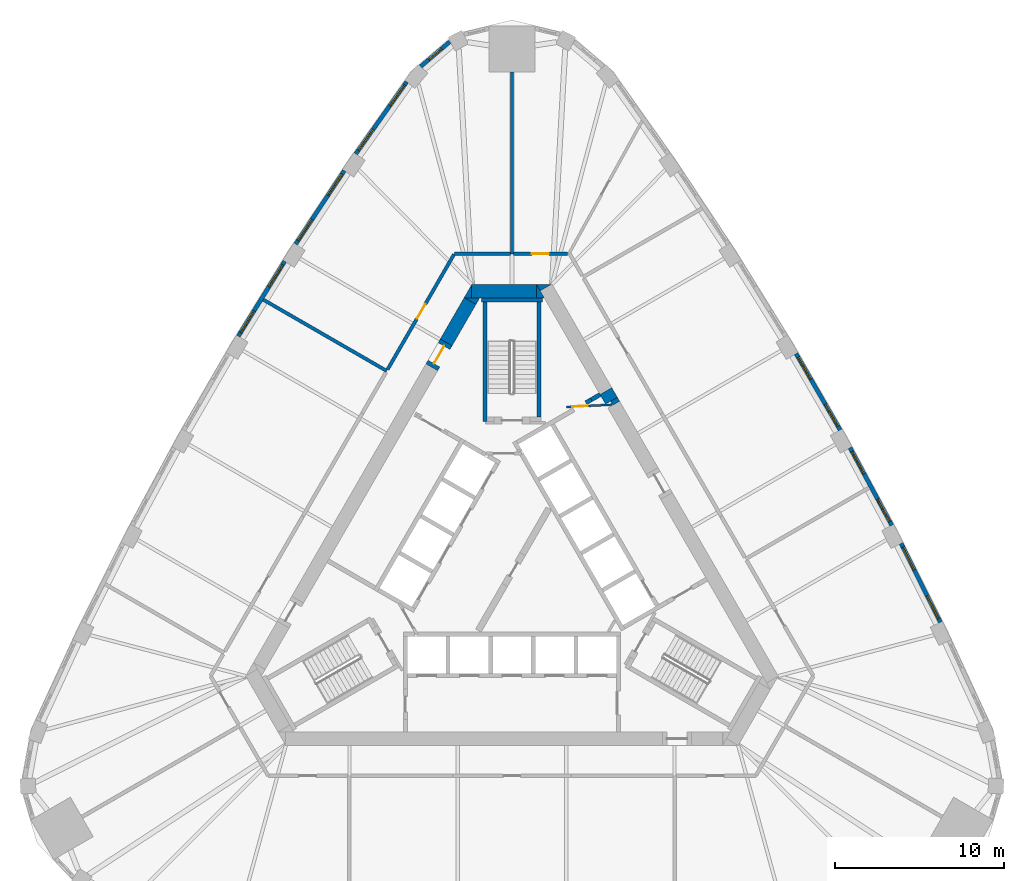
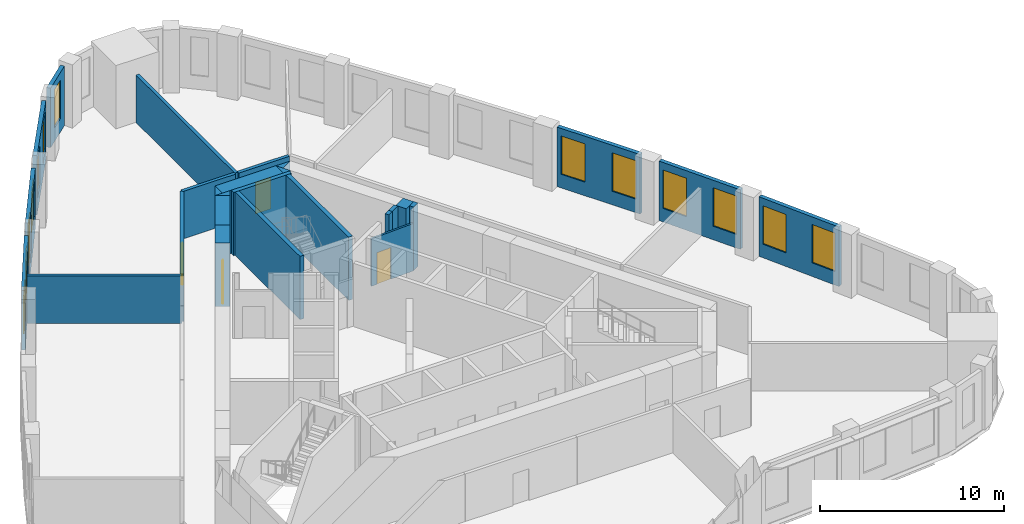
# One storey, part 7 of 9: 27 walls, 13 windows, 4 doors, 17 openings.
"""IFC4 building model written with IfcOpenShell, lengths in metres."""

from ifc_helpers import new_model, si_unit, direction, frame, frame_2d, origin, place, context, subcontext, project, spatial, polyline, rectangle, outline, extrude, material, layer, layer_set, type_object, element, fill, save


model = new_model("IFC4")

# Units and contexts
model_context = context("Model", 3, precision=1e-05, world=origin(), true_north=direction((0.0, 1.0)))
body_context = subcontext(model_context, "Body", "Model", "MODEL_VIEW")
ifc_project = project(units=[si_unit("LENGTHUNIT", "METRE"), si_unit("AREAUNIT", "SQUARE_METRE"), si_unit("VOLUMEUNIT", "CUBIC_METRE"), si_unit("PLANEANGLEUNIT", "RADIAN"), si_unit("MASSUNIT", "GRAM", prefix="KILO")], contexts=[model_context])

# Site, building, storey
site_placement = place(None, origin())
site = spatial("IfcSite", under=ifc_project, at=site_placement, CompositionType="ELEMENT")
building_placement = place(site_placement, origin())
building = spatial("IfcBuilding", under=site, at=building_placement, Name="Mestral Congress Tower", CompositionType="ELEMENT")
storey_placement = place(building_placement, frame((0.0, 0.0, 183.60009765625)))
storey = spatial("IfcBuildingStorey", under=building, at=storey_placement, Name="L43", CompositionType="ELEMENT", Elevation=183.60009765625)

# Wall, opening, door
ifc_material_1 = material(Name="Fire-rated board partition")
ifc_layer_1 = layer(ifc_material_1, 0.1201171875)
ifc_layer_set_1 = layer_set([ifc_layer_1], Name="Fire-rated board partition")
wall_type_1 = type_object("IfcWallType", Name="Core partition 150 door-wall 120", PredefinedType="PARTITIONING", material=ifc_layer_set_1)
wall_1_placement = place(storey_placement, frame((5.917236328125, 9.684326171875, 0.0), z_axis=(0.0, 0.0, 1.0), x_axis=(-0.998758194515, -0.049820366212, 0.0)))
wall_1 = element("IfcWall", 1, at=wall_1_placement, inside=storey, type_object=wall_type_1, Name="L43 door wall", PredefinedType="PARTITIONING", context=body_context, shape_type="SweptSolid", body=[
    extrude(rectangle(XDim=2.7001953125, YDim=0.119873046875, at=frame_2d((1.35009765625, 0.0))), origin(), (0.0, 0.0, 1.0), 3.14990234375),
])
opening_1_placement = place(wall_1_placement, frame((1.449951171875, 0.0, 0.0)))
opening_1 = element("IfcOpeningElement", 2, at=opening_1_placement, cuts=wall_1, Name="Opening TD2", PredefinedType="OPENING", context=body_context, shape_type="SweptSolid", body=[
    extrude(rectangle(XDim=0.89990234375, YDim=2.10009765625, at=frame_2d((0.449951171875, 1.050048828125))), frame((0.0, 0.06982421875, 0.0), z_axis=(0.0, -1.0, 0.0), x_axis=(1.0, 0.0, 0.0)), (0.0, 0.0, 1.0), 0.139892578125),
])
ifc_material_2 = material(Name="Fire-rated steel door set", Category="steel")
door_type_1 = type_object("IfcDoorType", Name="Core door SR 900x2100", OperationType="SINGLE_SWING_LEFT", PredefinedType="DOOR", material=ifc_material_2)
door_1_placement = place(opening_1_placement, origin())
door_1 = element("IfcDoor", 3, at=door_1_placement, inside=storey, type_object=door_type_1, Name="Door TD2", OperationType="SINGLE_SWING_LEFT", OverallHeight=2.10009765625, OverallWidth=0.89990234375, PredefinedType="DOOR", context=body_context, shape_type="SweptSolid", body=[
    extrude(rectangle(XDim=0.89990234375, YDim=2.10009765625, at=frame_2d((0.449951171875, 1.050048828125))), frame((0.0, 0.02490234375, 0.0), z_axis=(0.0, -1.0, 0.0), x_axis=(1.0, 0.0, 0.0)), (0.0, 0.0, 1.0), 0.050048828125),
])
fill(opening_1, door_1)

# Walls
ifc_material_3 = material(Name="Concrete C60/75", Category="concrete")
ifc_layer_2 = layer(ifc_material_3, 0.800048828125)
ifc_layer_set_2 = layer_set([ifc_layer_2], Name="Concrete C60/75")
wall_type_2 = type_object("IfcWallType", Name="Core wall RC 800", PredefinedType="SOLIDWALL", material=ifc_layer_set_2)
wall_2_placement = place(storey_placement, frame((5.87841796875, 9.918212890625, 0.0), z_axis=(0.0, 0.0, 1.0), x_axis=(-0.499893918903, 0.866086641072, 0.0)))
element("IfcWall", 4, at=wall_2_placement, inside=storey, type_object=wall_type_2, Name="L43 core wall", PredefinedType="SOLIDWALL", context=body_context, shape_type="SweptSolid", body=[
    extrude(rectangle(XDim=0.657470703125, YDim=0.800048828125, at=frame_2d((0.32861328125, 0.0))), origin(), (0.0, 0.0, 1.0), 4.199951171875),
])
placement = place(storey_placement, origin())
element("IfcWall", 5, at=placement, inside=storey, type_object=wall_type_2, Name="L43 core wall", PredefinedType="SOLIDWALL", context=body_context, shape_type="SweptSolid", body=[
    extrude(outline(polyline([(5.961181640625, 9.654052734375), (5.8271484375, 9.88623046875), (6.225830078125, 10.116455078125), (6.35986328125, 9.88427734375), (5.961181640625, 9.654052734375)])), origin(), (0.0, 0.0, 1.0), 4.199951171875),
])
element("IfcWall", 6, at=placement, inside=storey, type_object=wall_type_2, Name="L43 core wall", PredefinedType="SOLIDWALL", context=body_context, shape_type="SweptSolid", body=[
    extrude(outline(polyline([(1.443359375, 16.800048828125), (2.33935546875, 16.800048828125), (1.667236328125, 16.412109375), (1.443359375, 16.800048828125)])), origin(), (0.0, 0.0, 1.0), 4.199951171875),
])
wall_5_placement = place(storey_placement, frame((-2.37890625, 16.39990234375, 0.0), z_axis=(0.0, 0.0, 1.0), x_axis=(1.0, 0.0, 0.0)))
element("IfcWall", 7, at=wall_5_placement, inside=storey, type_object=wall_type_2, Name="L43 core wall", PredefinedType="SOLIDWALL", context=body_context, shape_type="SweptSolid", body=[
    extrude(rectangle(XDim=3.82421875, YDim=0.800048828125, at=frame_2d((1.912109375, 0.0))), origin(), (0.0, 0.0, 1.0), 4.199951171875),
])
element("IfcWall", 8, at=placement, inside=storey, type_object=wall_type_2, Name="L43 core wall", PredefinedType="SOLIDWALL", context=body_context, shape_type="SweptSolid", body=[
    extrude(outline(polyline([(1.9052734375, 16.0), (1.447265625, 16.0), (1.447265625, 16.793212890625), (1.9052734375, 16.0)])), origin(), (0.0, 0.0, 1.0), 4.199951171875),
])
element("IfcWall", 9, at=placement, inside=storey, type_object=wall_type_2, Name="L43 core wall", PredefinedType="SOLIDWALL", context=body_context, shape_type="SweptSolid", body=[
    extrude(outline(polyline([(-2.8291015625, 16.0), (-2.381103515625, 16.77587890625), (-2.381103515625, 16.0), (-2.8291015625, 16.0)])), origin(), (0.0, 0.0, 1.0), 4.199951171875),
])
wall_8_placement = place(storey_placement, frame((-2.476806640625, 15.810302734375, 0.0), z_axis=(0.0, 0.0, 1.0), x_axis=(-0.499969377405, -0.866043083026, 0.0)))
element("IfcWall", 10, at=wall_8_placement, inside=storey, type_object=wall_type_2, Name="L43 core wall", PredefinedType="SOLIDWALL", context=body_context, shape_type="SweptSolid", body=[
    extrude(rectangle(XDim=2.824462890625, YDim=0.800048828125, at=frame_2d((1.412109375, 0.0))), origin(), (0.0, 0.0, 1.0), 4.199951171875),
])
element("IfcWall", 11, at=placement, inside=storey, type_object=wall_type_2, Name="L43 core wall", PredefinedType="SOLIDWALL", context=body_context, shape_type="SweptSolid", body=[
    extrude(outline(polyline([(-1.9052734375, 16.0), (-2.12939453125, 15.612060546875), (-2.80126953125, 16.0), (-1.9052734375, 16.0)])), origin(), (0.0, 0.0, 1.0), 4.199951171875),
])

# Wall, opening, door
wall_10_placement = place(storey_placement, frame((-4.739013671875, 11.89208984375, 0.0), z_axis=(0.0, 0.0, 1.0), x_axis=(0.500062241894, 0.865989465428, 0.0)))
wall_10 = element("IfcWall", 12, at=wall_10_placement, inside=storey, type_object=wall_type_2, Name="L43 door wall", PredefinedType="SOLIDWALL", context=body_context, shape_type="SweptSolid", body=[
    extrude(rectangle(XDim=1.699951171875, YDim=0.800048828125, at=frame_2d((0.85009765625, 0.0))), origin(), (0.0, 0.0, 1.0), 4.199951171875),
])
opening_2_placement = place(wall_10_placement, frame((0.25, 0.0, 0.0)))
opening_2 = element("IfcOpeningElement", 13, at=opening_2_placement, cuts=wall_10, Name="Opening XD2", PredefinedType="OPENING", context=body_context, shape_type="SweptSolid", body=[
    extrude(rectangle(XDim=1.199951171875, YDim=2.10009765625, at=frame_2d((0.60009765625, 1.050048828125))), frame((0.0, 0.409912109375, 0.0), z_axis=(0.0, -1.0, 0.0), x_axis=(1.0, 0.0, 0.0)), (0.0, 0.0, 1.0), 0.820068359375),
])
door_type_2 = type_object("IfcDoorType", Name="Core door XD 1200x2100", OperationType="SINGLE_SWING_LEFT", PredefinedType="DOOR", material=ifc_material_2)
door_2_placement = place(opening_2_placement, origin())
door_2 = element("IfcDoor", 14, at=door_2_placement, inside=storey, type_object=door_type_2, Name="Door XD2", OperationType="SINGLE_SWING_LEFT", OverallHeight=2.10009765625, OverallWidth=1.199951171875, PredefinedType="DOOR", context=body_context, shape_type="SweptSolid", body=[
    extrude(rectangle(XDim=1.199951171875, YDim=2.10009765625, at=frame_2d((0.60009765625, 1.050048828125))), frame((0.0, 0.02490234375, 0.0), z_axis=(0.0, -1.0, 0.0), x_axis=(1.0, 0.0, 0.0)), (0.0, 0.0, 1.0), 0.050048828125),
])
fill(opening_2, door_2)

# Wall, openings, windows
ifc_material_4 = material(Name="Precast concrete C40/50 with limestone facing", Category="masonry")
ifc_layer_3 = layer(ifc_material_4, 0.239990234375)
ifc_layer_set_3 = layer_set([ifc_layer_3], Name="Precast concrete C40/50 with limestone facing")
wall_type_3 = type_object("IfcWallType", Name="Facade stone wall 240", PredefinedType="SOLIDWALL", material=ifc_layer_set_3)
wall_11_placement = place(storey_placement, frame((25.31591796875, -3.17138671875, 0.0), z_axis=(0.0, 0.0, 1.0), x_axis=(-0.446256171312, 0.8949052629, 0.0)))
wall_11 = element("IfcWall", 15, at=wall_11_placement, inside=storey, type_object=wall_type_3, Name="Facade wall F1-01", PredefinedType="SOLIDWALL", context=body_context, shape_type="SweptSolid", body=[
    extrude(rectangle(XDim=5.203369140625, YDim=0.239990234375, at=frame_2d((2.6015625, 0.0))), origin(), (0.0, 0.0, 1.0), 3.949951171875),
])
opening_3_placement = place(wall_11_placement, frame((0.248291015625, 0.0, 0.89990234375)))
opening_3 = element("IfcOpeningElement", 16, at=opening_3_placement, cuts=wall_11, Name="Opening W4", PredefinedType="OPENING", context=body_context, shape_type="SweptSolid", body=[
    extrude(rectangle(XDim=1.5, YDim=2.550048828125, at=frame_2d((0.75, 1.27490234375))), frame((0.0, 0.1298828125, 0.0), z_axis=(0.0, -1.0, 0.0), x_axis=(1.0, 0.0, 0.0)), (0.0, 0.0, 1.0), 0.260009765625),
])
opening_4_placement = place(wall_11_placement, frame((3.455078125, 0.0, 0.89990234375)))
opening_4 = element("IfcOpeningElement", 17, at=opening_4_placement, cuts=wall_11, Name="Opening W4", PredefinedType="OPENING", context=body_context, shape_type="SweptSolid", body=[
    extrude(rectangle(XDim=1.5, YDim=2.550048828125, at=frame_2d((0.75, 1.27490234375))), frame((0.0, 0.1298828125, 0.0), z_axis=(0.0, -1.0, 0.0), x_axis=(1.0, 0.0, 0.0)), (0.0, 0.0, 1.0), 0.260009765625),
])
ifc_material_5 = material(Name="Clear low-emissivity double glazing", Category="glass")
window_type_1 = type_object("IfcWindowType", Name="Facade punched window 1500 x 2550 sill 900", PartitioningType="SINGLE_PANEL", PredefinedType="WINDOW", material=ifc_material_5)
window_1_placement = place(opening_3_placement, origin())
window_1 = element("IfcWindow", 18, at=window_1_placement, inside=storey, type_object=window_type_1, Name="Window F1-01a", OverallHeight=2.550048828125, OverallWidth=1.5, PartitioningType="SINGLE_PANEL", PredefinedType="WINDOW", context=body_context, shape_type="SweptSolid", body=[
    extrude(rectangle(XDim=1.5, YDim=2.550048828125, at=frame_2d((0.75, 1.27490234375))), frame((0.0, 0.0400390625, 0.0), z_axis=(0.0, -1.0, 0.0), x_axis=(1.0, 0.0, 0.0)), (0.0, 0.0, 1.0), 0.06005859375),
])
fill(opening_3, window_1)
window_2_placement = place(opening_4_placement, origin())
window_2 = element("IfcWindow", 19, at=window_2_placement, inside=storey, type_object=window_type_1, Name="Window F1-01b", OverallHeight=2.550048828125, OverallWidth=1.5, PartitioningType="SINGLE_PANEL", PredefinedType="WINDOW", context=body_context, shape_type="SweptSolid", body=[
    extrude(rectangle(XDim=1.5, YDim=2.550048828125, at=frame_2d((0.75, 1.27490234375))), frame((0.0, 0.0400390625, 0.0), z_axis=(0.0, -1.0, 0.0), x_axis=(1.0, 0.0, 0.0)), (0.0, 0.0, 1.0), 0.06005859375),
])
fill(opening_4, window_2)

wall_12_placement = place(storey_placement, frame((22.43994140625, 2.554931640625, 0.0), z_axis=(0.0, 0.0, 1.0), x_axis=(-0.473349833294, 0.880874528704, 0.0)))
wall_12 = element("IfcWall", 20, at=wall_12_placement, inside=storey, type_object=wall_type_3, Name="Facade wall F1-02", PredefinedType="SOLIDWALL", context=body_context, shape_type="SweptSolid", body=[
    extrude(rectangle(XDim=5.20361328125, YDim=0.239990234375, at=frame_2d((2.601806640625, 0.0))), origin(), (0.0, 0.0, 1.0), 3.949951171875),
])
opening_5_placement = place(wall_12_placement, frame((0.248291015625, 0.0, 0.89990234375)))
opening_5 = element("IfcOpeningElement", 21, at=opening_5_placement, cuts=wall_12, Name="Opening W4", PredefinedType="OPENING", context=body_context, shape_type="SweptSolid", body=[
    extrude(rectangle(XDim=1.5, YDim=2.550048828125, at=frame_2d((0.75, 1.27490234375))), frame((0.0, 0.1298828125, 0.0), z_axis=(0.0, -1.0, 0.0), x_axis=(1.0, 0.0, 0.0)), (0.0, 0.0, 1.0), 0.260009765625),
])
opening_6_placement = place(wall_12_placement, frame((3.455078125, 0.0, 0.89990234375)))
opening_6 = element("IfcOpeningElement", 22, at=opening_6_placement, cuts=wall_12, Name="Opening W4", PredefinedType="OPENING", context=body_context, shape_type="SweptSolid", body=[
    extrude(rectangle(XDim=1.5, YDim=2.550048828125, at=frame_2d((0.75, 1.27490234375))), frame((0.0, 0.1298828125, 0.0), z_axis=(0.0, -1.0, 0.0), x_axis=(1.0, 0.0, 0.0)), (0.0, 0.0, 1.0), 0.260009765625),
])
window_3_placement = place(opening_5_placement, origin())
window_3 = element("IfcWindow", 23, at=window_3_placement, inside=storey, type_object=window_type_1, Name="Window F1-02a", OverallHeight=2.550048828125, OverallWidth=1.5, PartitioningType="SINGLE_PANEL", PredefinedType="WINDOW", context=body_context, shape_type="SweptSolid", body=[
    extrude(rectangle(XDim=1.5, YDim=2.550048828125, at=frame_2d((0.75, 1.27490234375))), frame((0.0, 0.0400390625, 0.0), z_axis=(0.0, -1.0, 0.0), x_axis=(1.0, 0.0, 0.0)), (0.0, 0.0, 1.0), 0.06005859375),
])
fill(opening_5, window_3)
window_4_placement = place(opening_6_placement, origin())
window_4 = element("IfcWindow", 24, at=window_4_placement, inside=storey, type_object=window_type_1, Name="Window F1-02b", OverallHeight=2.550048828125, OverallWidth=1.5, PartitioningType="SINGLE_PANEL", PredefinedType="WINDOW", context=body_context, shape_type="SweptSolid", body=[
    extrude(rectangle(XDim=1.5, YDim=2.550048828125, at=frame_2d((0.75, 1.27490234375))), frame((0.0, 0.0400390625, 0.0), z_axis=(0.0, -1.0, 0.0), x_axis=(1.0, 0.0, 0.0)), (0.0, 0.0, 1.0), 0.06005859375),
])
fill(opening_6, window_4)

wall_13_placement = place(storey_placement, frame((19.390625, 8.19091796875, 0.0), z_axis=(0.0, 0.0, 1.0), x_axis=(-0.500009456303, 0.866019944116, 0.0)))
wall_13 = element("IfcWall", 25, at=wall_13_placement, inside=storey, type_object=wall_type_3, Name="Facade wall F1-03", PredefinedType="SOLIDWALL", context=body_context, shape_type="SweptSolid", body=[
    extrude(rectangle(XDim=5.20361328125, YDim=0.239990234375, at=frame_2d((2.601806640625, 0.0))), origin(), (0.0, 0.0, 1.0), 3.949951171875),
])
opening_7_placement = place(wall_13_placement, frame((0.248291015625, 0.0, 0.89990234375)))
opening_7 = element("IfcOpeningElement", 26, at=opening_7_placement, cuts=wall_13, Name="Opening W4", PredefinedType="OPENING", context=body_context, shape_type="SweptSolid", body=[
    extrude(rectangle(XDim=1.5, YDim=2.550048828125, at=frame_2d((0.75, 1.27490234375))), frame((0.0, 0.1298828125, 0.0), z_axis=(0.0, -1.0, 0.0), x_axis=(1.0, 0.0, 0.0)), (0.0, 0.0, 1.0), 0.260009765625),
])
opening_8_placement = place(wall_13_placement, frame((3.455078125, 0.0, 0.89990234375)))
opening_8 = element("IfcOpeningElement", 27, at=opening_8_placement, cuts=wall_13, Name="Opening W4", PredefinedType="OPENING", context=body_context, shape_type="SweptSolid", body=[
    extrude(rectangle(XDim=1.5, YDim=2.550048828125, at=frame_2d((0.75, 1.27490234375))), frame((0.0, 0.1298828125, 0.0), z_axis=(0.0, -1.0, 0.0), x_axis=(1.0, 0.0, 0.0)), (0.0, 0.0, 1.0), 0.260009765625),
])
window_5_placement = place(opening_7_placement, origin())
window_5 = element("IfcWindow", 28, at=window_5_placement, inside=storey, type_object=window_type_1, Name="Window F1-03a", OverallHeight=2.550048828125, OverallWidth=1.5, PartitioningType="SINGLE_PANEL", PredefinedType="WINDOW", context=body_context, shape_type="SweptSolid", body=[
    extrude(rectangle(XDim=1.5, YDim=2.550048828125, at=frame_2d((0.75, 1.27490234375))), frame((0.0, 0.0400390625, 0.0), z_axis=(0.0, -1.0, 0.0), x_axis=(1.0, 0.0, 0.0)), (0.0, 0.0, 1.0), 0.06005859375),
])
fill(opening_7, window_5)
window_6_placement = place(opening_8_placement, origin())
window_6 = element("IfcWindow", 29, at=window_6_placement, inside=storey, type_object=window_type_1, Name="Window F1-03b", OverallHeight=2.550048828125, OverallWidth=1.5, PartitioningType="SINGLE_PANEL", PredefinedType="WINDOW", context=body_context, shape_type="SweptSolid", body=[
    extrude(rectangle(XDim=1.5, YDim=2.550048828125, at=frame_2d((0.75, 1.27490234375))), frame((0.0, 0.0400390625, 0.0), z_axis=(0.0, -1.0, 0.0), x_axis=(1.0, 0.0, 0.0)), (0.0, 0.0, 1.0), 0.06005859375),
])
fill(opening_8, window_6)

# Wall, opening, window
wall_14_placement = place(storey_placement, frame((-3.67822265625, 31.130859375, 0.0), z_axis=(0.0, 0.0, 1.0), x_axis=(-0.761419744247, -0.648259186645, 0.0)))
wall_14 = element("IfcWall", 30, at=wall_14_placement, inside=storey, type_object=wall_type_3, Name="Facade wall K1-3", PredefinedType="SOLIDWALL", context=body_context, shape_type="SweptSolid", body=[
    extrude(rectangle(XDim=2.250244140625, YDim=0.239990234375, at=frame_2d((1.125, 0.0))), origin(), (0.0, 0.0, 1.0), 3.949951171875),
])
opening_9_placement = place(wall_14_placement, frame((0.625244140625, 0.0, 0.89990234375)))
opening_9 = element("IfcOpeningElement", 31, at=opening_9_placement, cuts=wall_14, Name="Opening W5", PredefinedType="OPENING", context=body_context, shape_type="SweptSolid", body=[
    extrude(rectangle(XDim=1.0, YDim=2.550048828125, at=frame_2d((0.5, 1.27490234375))), frame((0.0, 0.1298828125, 0.0), z_axis=(0.0, -1.0, 0.0), x_axis=(1.0, 0.0, 0.0)), (0.0, 0.0, 1.0), 0.260009765625),
])
window_type_2 = type_object("IfcWindowType", Name="Facade punched window 1000 x 2550 sill 900", PartitioningType="SINGLE_PANEL", PredefinedType="WINDOW", material=ifc_material_5)
window_7_placement = place(opening_9_placement, origin())
window_7 = element("IfcWindow", 32, at=window_7_placement, inside=storey, type_object=window_type_2, Name="Window K1-3", OverallHeight=2.550048828125, OverallWidth=1.0, PartitioningType="SINGLE_PANEL", PredefinedType="WINDOW", context=body_context, shape_type="SweptSolid", body=[
    extrude(rectangle(XDim=1.0, YDim=2.550048828125, at=frame_2d((0.5, 1.27490234375))), frame((0.0, 0.0400390625, 0.0), z_axis=(0.0, -1.0, 0.0), x_axis=(1.0, 0.0, 0.0)), (0.0, 0.0, 1.0), 0.06005859375),
])
fill(opening_9, window_7)

# Wall, openings, windows
wall_15_placement = place(storey_placement, frame((-6.22265625, 28.76171875, 0.0), z_axis=(0.0, 0.0, 1.0), x_axis=(-0.577115207679, -0.816662743772, 0.0)))
wall_15 = element("IfcWall", 33, at=wall_15_placement, inside=storey, type_object=wall_type_3, Name="Facade wall F2-00", PredefinedType="SOLIDWALL", context=body_context, shape_type="SweptSolid", body=[
    extrude(rectangle(XDim=5.213134765625, YDim=0.239990234375, at=frame_2d((2.6064453125, 0.0))), origin(), (0.0, 0.0, 1.0), 3.949951171875),
])
opening_10_placement = place(wall_15_placement, frame((0.220703125, 0.0, 0.89990234375)))
opening_10 = element("IfcOpeningElement", 34, at=opening_10_placement, cuts=wall_15, Name="Opening W4", PredefinedType="OPENING", context=body_context, shape_type="SweptSolid", body=[
    extrude(rectangle(XDim=1.5, YDim=2.550048828125, at=frame_2d((0.75, 1.27490234375))), frame((0.0, 0.1298828125, 0.0), z_axis=(0.0, -1.0, 0.0), x_axis=(1.0, 0.0, 0.0)), (0.0, 0.0, 1.0), 0.260009765625),
])
opening_11_placement = place(wall_15_placement, frame((3.452392578125, 0.0, 0.89990234375)))
opening_11 = element("IfcOpeningElement", 35, at=opening_11_placement, cuts=wall_15, Name="Opening W4", PredefinedType="OPENING", context=body_context, shape_type="SweptSolid", body=[
    extrude(rectangle(XDim=1.5, YDim=2.550048828125, at=frame_2d((0.75, 1.27490234375))), frame((0.0, 0.1298828125, 0.0), z_axis=(0.0, -1.0, 0.0), x_axis=(1.0, 0.0, 0.0)), (0.0, 0.0, 1.0), 0.260009765625),
])
window_8_placement = place(opening_10_placement, origin())
window_8 = element("IfcWindow", 36, at=window_8_placement, inside=storey, type_object=window_type_1, Name="Window F2-00a", OverallHeight=2.550048828125, OverallWidth=1.5, PartitioningType="SINGLE_PANEL", PredefinedType="WINDOW", context=body_context, shape_type="SweptSolid", body=[
    extrude(rectangle(XDim=1.5, YDim=2.550048828125, at=frame_2d((0.75, 1.27490234375))), frame((0.0, 0.0400390625, 0.0), z_axis=(0.0, -1.0, 0.0), x_axis=(1.0, 0.0, 0.0)), (0.0, 0.0, 1.0), 0.06005859375),
])
fill(opening_10, window_8)
window_9_placement = place(opening_11_placement, origin())
window_9 = element("IfcWindow", 37, at=window_9_placement, inside=storey, type_object=window_type_1, Name="Window F2-00b", OverallHeight=2.550048828125, OverallWidth=1.5, PartitioningType="SINGLE_PANEL", PredefinedType="WINDOW", context=body_context, shape_type="SweptSolid", body=[
    extrude(rectangle(XDim=1.5, YDim=2.550048828125, at=frame_2d((0.75, 1.27490234375))), frame((0.0, 0.0400390625, 0.0), z_axis=(0.0, -1.0, 0.0), x_axis=(1.0, 0.0, 0.0)), (0.0, 0.0, 1.0), 0.06005859375),
])
fill(opening_11, window_9)

wall_16_placement = place(storey_placement, frame((-9.911376953125, 23.510009765625, 0.0), z_axis=(0.0, 0.0, 1.0), x_axis=(-0.551892811511, -0.833915058386, 0.0)))
wall_16 = element("IfcWall", 38, at=wall_16_placement, inside=storey, type_object=wall_type_3, Name="Facade wall F2-01", PredefinedType="SOLIDWALL", context=body_context, shape_type="SweptSolid", body=[
    extrude(rectangle(XDim=5.20361328125, YDim=0.239990234375, at=frame_2d((2.601806640625, 0.0))), origin(), (0.0, 0.0, 1.0), 3.949951171875),
])
opening_12_placement = place(wall_16_placement, frame((0.248291015625, 0.0, 0.89990234375)))
opening_12 = element("IfcOpeningElement", 39, at=opening_12_placement, cuts=wall_16, Name="Opening W4", PredefinedType="OPENING", context=body_context, shape_type="SweptSolid", body=[
    extrude(rectangle(XDim=1.5, YDim=2.550048828125, at=frame_2d((0.75, 1.27490234375))), frame((0.0, 0.1298828125, 0.0), z_axis=(0.0, -1.0, 0.0), x_axis=(1.0, 0.0, 0.0)), (0.0, 0.0, 1.0), 0.260009765625),
])
opening_13_placement = place(wall_16_placement, frame((3.455078125, 0.0, 0.89990234375)))
opening_13 = element("IfcOpeningElement", 40, at=opening_13_placement, cuts=wall_16, Name="Opening W4", PredefinedType="OPENING", context=body_context, shape_type="SweptSolid", body=[
    extrude(rectangle(XDim=1.5, YDim=2.550048828125, at=frame_2d((0.75, 1.27490234375))), frame((0.0, 0.1298828125, 0.0), z_axis=(0.0, -1.0, 0.0), x_axis=(1.0, 0.0, 0.0)), (0.0, 0.0, 1.0), 0.260009765625),
])
window_10_placement = place(opening_12_placement, origin())
window_10 = element("IfcWindow", 41, at=window_10_placement, inside=storey, type_object=window_type_1, Name="Window F2-01a", OverallHeight=2.550048828125, OverallWidth=1.5, PartitioningType="SINGLE_PANEL", PredefinedType="WINDOW", context=body_context, shape_type="SweptSolid", body=[
    extrude(rectangle(XDim=1.5, YDim=2.550048828125, at=frame_2d((0.75, 1.27490234375))), frame((0.0, 0.0400390625, 0.0), z_axis=(0.0, -1.0, 0.0), x_axis=(1.0, 0.0, 0.0)), (0.0, 0.0, 1.0), 0.06005859375),
])
fill(opening_12, window_10)
window_11_placement = place(opening_13_placement, origin())
window_11 = element("IfcWindow", 42, at=window_11_placement, inside=storey, type_object=window_type_1, Name="Window F2-01b", OverallHeight=2.550048828125, OverallWidth=1.5, PartitioningType="SINGLE_PANEL", PredefinedType="WINDOW", context=body_context, shape_type="SweptSolid", body=[
    extrude(rectangle(XDim=1.5, YDim=2.550048828125, at=frame_2d((0.75, 1.27490234375))), frame((0.0, 0.0400390625, 0.0), z_axis=(0.0, -1.0, 0.0), x_axis=(1.0, 0.0, 0.0)), (0.0, 0.0, 1.0), 0.06005859375),
])
fill(opening_13, window_11)

wall_17_placement = place(storey_placement, frame((-13.4326171875, 18.156005859375, 0.0), z_axis=(0.0, 0.0, 1.0), x_axis=(-0.526197926587, -0.850362124072, 0.0)))
wall_17 = element("IfcWall", 43, at=wall_17_placement, inside=storey, type_object=wall_type_3, Name="Facade wall F2-02", PredefinedType="SOLIDWALL", context=body_context, shape_type="SweptSolid", body=[
    extrude(rectangle(XDim=5.203369140625, YDim=0.239990234375, at=frame_2d((2.6015625, 0.0))), origin(), (0.0, 0.0, 1.0), 3.949951171875),
])
opening_14_placement = place(wall_17_placement, frame((0.248291015625, 0.0, 0.89990234375)))
opening_14 = element("IfcOpeningElement", 44, at=opening_14_placement, cuts=wall_17, Name="Opening W4", PredefinedType="OPENING", context=body_context, shape_type="SweptSolid", body=[
    extrude(rectangle(XDim=1.5, YDim=2.550048828125, at=frame_2d((0.75, 1.27490234375))), frame((0.0, 0.1298828125, 0.0), z_axis=(0.0, -1.0, 0.0), x_axis=(1.0, 0.0, 0.0)), (0.0, 0.0, 1.0), 0.260009765625),
])
opening_15_placement = place(wall_17_placement, frame((3.455078125, 0.0, 0.89990234375)))
opening_15 = element("IfcOpeningElement", 45, at=opening_15_placement, cuts=wall_17, Name="Opening W4", PredefinedType="OPENING", context=body_context, shape_type="SweptSolid", body=[
    extrude(rectangle(XDim=1.5, YDim=2.550048828125, at=frame_2d((0.75, 1.27490234375))), frame((0.0, 0.1298828125, 0.0), z_axis=(0.0, -1.0, 0.0), x_axis=(1.0, 0.0, 0.0)), (0.0, 0.0, 1.0), 0.260009765625),
])
window_12_placement = place(opening_14_placement, origin())
window_12 = element("IfcWindow", 46, at=window_12_placement, inside=storey, type_object=window_type_1, Name="Window F2-02a", OverallHeight=2.550048828125, OverallWidth=1.5, PartitioningType="SINGLE_PANEL", PredefinedType="WINDOW", context=body_context, shape_type="SweptSolid", body=[
    extrude(rectangle(XDim=1.5, YDim=2.550048828125, at=frame_2d((0.75, 1.27490234375))), frame((0.0, 0.0400390625, 0.0), z_axis=(0.0, -1.0, 0.0), x_axis=(1.0, 0.0, 0.0)), (0.0, 0.0, 1.0), 0.06005859375),
])
fill(opening_14, window_12)
window_13_placement = place(opening_15_placement, origin())
window_13 = element("IfcWindow", 47, at=window_13_placement, inside=storey, type_object=window_type_1, Name="Window F2-02b", OverallHeight=2.550048828125, OverallWidth=1.5, PartitioningType="SINGLE_PANEL", PredefinedType="WINDOW", context=body_context, shape_type="SweptSolid", body=[
    extrude(rectangle(XDim=1.5, YDim=2.550048828125, at=frame_2d((0.75, 1.27490234375))), frame((0.0, 0.0400390625, 0.0), z_axis=(0.0, -1.0, 0.0), x_axis=(1.0, 0.0, 0.0)), (0.0, 0.0, 1.0), 0.06005859375),
])
fill(opening_15, window_13)

# Wall
ifc_material_6 = material(Name="Dense masonry wall, plastered", Category="masonry")
ifc_layer_4 = layer(ifc_material_6, 0.199951171875)
ifc_layer_set_4 = layer_set([ifc_layer_4], Name="Dense masonry wall, plastered")
wall_type_4 = type_object("IfcWallType", Name="Office tenancy wall 200", PredefinedType="PARTITIONING", material=ifc_layer_set_4)
wall_18_placement = place(storey_placement, frame((0.0, 18.60009765625, 0.0), z_axis=(0.0, 0.0, 1.0), x_axis=(0.0, 1.0, 0.0)))
element("IfcWall", 48, at=wall_18_placement, inside=storey, type_object=wall_type_4, Name="Tenancy wall", PredefinedType="PARTITIONING", context=body_context, shape_type="SweptSolid", body=[
    extrude(rectangle(XDim=10.754150390625, YDim=0.199951171875, at=frame_2d((5.376953125, 0.0))), origin(), (0.0, 0.0, 1.0), 3.14990234375),
])

# Wall, opening, door
wall_19_placement = place(storey_placement, frame((3.2744140625, 18.60009765625, 0.0), z_axis=(0.0, 0.0, 1.0), x_axis=(-1.0, 0.0, 0.0)))
wall_19 = element("IfcWall", 49, at=wall_19_placement, inside=storey, type_object=wall_type_4, Name="Tenancy wall", PredefinedType="PARTITIONING", context=body_context, shape_type="SweptSolid", body=[
    extrude(rectangle(XDim=3.17431640625, YDim=0.199951171875, at=frame_2d((1.587158203125, 0.0))), origin(), (0.0, 0.0, 1.0), 3.14990234375),
])
opening_16_placement = place(wall_19_placement, frame((1.10009765625, 0.0, 0.0)))
opening_16 = element("IfcOpeningElement", 50, at=opening_16_placement, cuts=wall_19, Name="Opening O04-006", PredefinedType="OPENING", context=body_context, shape_type="SweptSolid", body=[
    extrude(rectangle(XDim=1.0, YDim=2.10009765625, at=frame_2d((0.5, 1.050048828125))), frame((0.0, 0.10986328125, 0.0), z_axis=(0.0, -1.0, 0.0), x_axis=(1.0, 0.0, 0.0)), (0.0, 0.0, 1.0), 0.219970703125),
])
ifc_material_7 = material(Name="Fire-rated timber door set", Category="wood")
door_type_3 = type_object("IfcDoorType", Name="Office tenancy entrance door 1000x2100", OperationType="SINGLE_SWING_LEFT", PredefinedType="DOOR", material=ifc_material_7)
door_3_placement = place(opening_16_placement, origin())
door_3 = element("IfcDoor", 51, at=door_3_placement, inside=storey, type_object=door_type_3, Name="Door O04-006", OperationType="SINGLE_SWING_RIGHT", OverallHeight=2.10009765625, OverallWidth=1.0, PredefinedType="DOOR", context=body_context, shape_type="SweptSolid", body=[
    extrude(rectangle(XDim=1.0, YDim=2.10009765625, at=frame_2d((0.5, 1.050048828125))), frame((0.0, 0.02490234375, 0.0), z_axis=(0.0, -1.0, 0.0), x_axis=(1.0, 0.0, 0.0)), (0.0, 0.0, 1.0), 0.050048828125),
])
fill(opening_16, door_3)

# Walls
wall_20_placement = place(storey_placement, frame((-7.40283203125, 11.677978515625, 0.0), z_axis=(0.0, 0.0, 1.0), x_axis=(-0.866029143232, 0.499993523031, 0.0)))
element("IfcWall", 52, at=wall_20_placement, inside=storey, type_object=wall_type_4, Name="Tenancy wall", PredefinedType="PARTITIONING", context=body_context, shape_type="SweptSolid", body=[
    extrude(rectangle(XDim=8.419921875, YDim=0.199951171875, at=frame_2d((4.2099609375, 0.0))), origin(), (0.0, 0.0, 1.0), 3.14990234375),
])
wall_21_placement = place(storey_placement, frame((-0.10009765625, 18.60009765625, 0.0), z_axis=(0.0, 0.0, 1.0), x_axis=(-1.0, 0.0, 0.0)))
element("IfcWall", 53, at=wall_21_placement, inside=storey, type_object=wall_type_4, Name="Tenancy wall", PredefinedType="PARTITIONING", context=body_context, shape_type="SweptSolid", body=[
    extrude(rectangle(XDim=3.306396484375, YDim=0.199951171875, at=frame_2d((1.6533203125, 0.0))), origin(), (0.0, 0.0, 1.0), 3.14990234375),
])

# Wall, opening, door
wall_22_placement = place(storey_placement, frame((-3.42138671875, 18.573974609375, 0.0), z_axis=(0.0, 0.0, 1.0), x_axis=(-0.499989434416, -0.866031503741, 0.0)))
wall_22 = element("IfcWall", 54, at=wall_22_placement, inside=storey, type_object=wall_type_4, Name="Tenancy wall", PredefinedType="PARTITIONING", context=body_context, shape_type="SweptSolid", body=[
    extrude(rectangle(XDim=7.863037109375, YDim=0.199951171875, at=frame_2d((3.931640625, 0.0))), origin(), (0.0, 0.0, 1.0), 3.14990234375),
])
opening_17_placement = place(wall_22_placement, frame((3.39990234375, 0.0, 0.0)))
opening_17 = element("IfcOpeningElement", 55, at=opening_17_placement, cuts=wall_22, Name="Opening O04-007", PredefinedType="OPENING", context=body_context, shape_type="SweptSolid", body=[
    extrude(rectangle(XDim=1.0, YDim=2.10009765625, at=frame_2d((0.5, 1.050048828125))), frame((0.0, 0.10986328125, 0.0), z_axis=(0.0, -1.0, 0.0), x_axis=(1.0, 0.0, 0.0)), (0.0, 0.0, 1.0), 0.219970703125),
])
door_4_placement = place(opening_17_placement, origin())
door_4 = element("IfcDoor", 56, at=door_4_placement, inside=storey, type_object=door_type_3, Name="Door O04-007", OperationType="SINGLE_SWING_LEFT", OverallHeight=2.10009765625, OverallWidth=1.0, PredefinedType="DOOR", context=body_context, shape_type="SweptSolid", body=[
    extrude(rectangle(XDim=1.0, YDim=2.10009765625, at=frame_2d((0.5, 1.050048828125))), frame((0.0, 0.02490234375, 0.0), z_axis=(0.0, -1.0, 0.0), x_axis=(1.0, 0.0, 0.0)), (0.0, 0.0, 1.0), 0.050048828125),
])
fill(opening_17, door_4)

# Walls
ifc_layer_5 = layer(ifc_material_3, 0.25)
ifc_layer_set_5 = layer_set([ifc_layer_5], Name="Concrete C60/75")
wall_type_5 = type_object("IfcWallType", Name="Shaft wall RC 250", PredefinedType="SOLIDWALL", material=ifc_layer_set_5)
wall_23_placement = place(storey_placement, frame((4.6875, 9.98095703125, 0.0), z_axis=(0.0, 0.0, 1.0), x_axis=(-0.865974312977, -0.500088481434, 0.0)))
element("IfcWall", 57, at=wall_23_placement, inside=storey, type_object=wall_type_5, Name="L43 core wall", PredefinedType="SOLIDWALL", context=body_context, shape_type="SweptSolid", body=[
    extrude(rectangle(XDim=0.36572265625, YDim=0.25, at=frame_2d((0.182861328125, 0.0))), origin(), (0.0, 0.0, 1.0), 4.199951171875),
])
wall_24_placement = place(storey_placement, frame((4.689208984375, 9.98193359375, 0.0), z_axis=(0.0, 0.0, 1.0), x_axis=(0.865947592822, 0.500134748329, 0.0)))
element("IfcWall", 58, at=wall_24_placement, inside=storey, type_object=wall_type_5, Name="L43 core wall", PredefinedType="SOLIDWALL", context=body_context, shape_type="SweptSolid", body=[
    extrude(rectangle(XDim=0.597900390625, YDim=0.25, at=frame_2d((0.298828125, 0.0))), origin(), (0.0, 0.0, 1.0), 4.199951171875),
])
ifc_layer_6 = layer(ifc_material_3, 0.25)
ifc_layer_set_6 = layer_set([ifc_layer_6], Name="Concrete C60/75")
wall_type_6 = type_object("IfcWallType", Name="Stair wall RC 250", PredefinedType="SOLIDWALL", material=ifc_layer_set_6)
wall_25_placement = place(storey_placement, frame((-1.81689453125, 15.875, 0.0), z_axis=(0.0, 0.0, 1.0), x_axis=(1.0, 0.0, 0.0)))
element("IfcWall", 59, at=wall_25_placement, inside=storey, type_object=wall_type_6, Name="L43 core wall", PredefinedType="SOLIDWALL", context=body_context, shape_type="SweptSolid", body=[
    extrude(rectangle(XDim=3.6337890625, YDim=0.25, at=frame_2d((1.81689453125, 0.0))), origin(), (0.0, 0.0, 1.0), 4.199951171875),
])
wall_26_placement = place(storey_placement, frame((1.60009765625, 8.949951171875, 0.0), z_axis=(0.0, 0.0, 1.0), x_axis=(0.0, 1.0, 0.0)))
element("IfcWall", 60, at=wall_26_placement, inside=storey, type_object=wall_type_6, Name="L43 core wall", PredefinedType="SOLIDWALL", context=body_context, shape_type="SweptSolid", body=[
    extrude(rectangle(XDim=6.800048828125, YDim=0.25, at=frame_2d((3.39990234375, 0.0))), origin(), (0.0, 0.0, 1.0), 4.199951171875),
])
wall_27_placement = place(storey_placement, frame((-1.60009765625, 8.699951171875, 0.0), z_axis=(0.0, 0.0, 1.0), x_axis=(0.0, 1.0, 0.0)))
element("IfcWall", 61, at=wall_27_placement, inside=storey, type_object=wall_type_6, Name="L43 core wall", PredefinedType="SOLIDWALL", context=body_context, shape_type="SweptSolid", body=[
    extrude(rectangle(XDim=7.050048828125, YDim=0.25, at=frame_2d((3.52490234375, 0.0))), origin(), (0.0, 0.0, 1.0), 4.199951171875),
])

save(model, "model.ifc")
